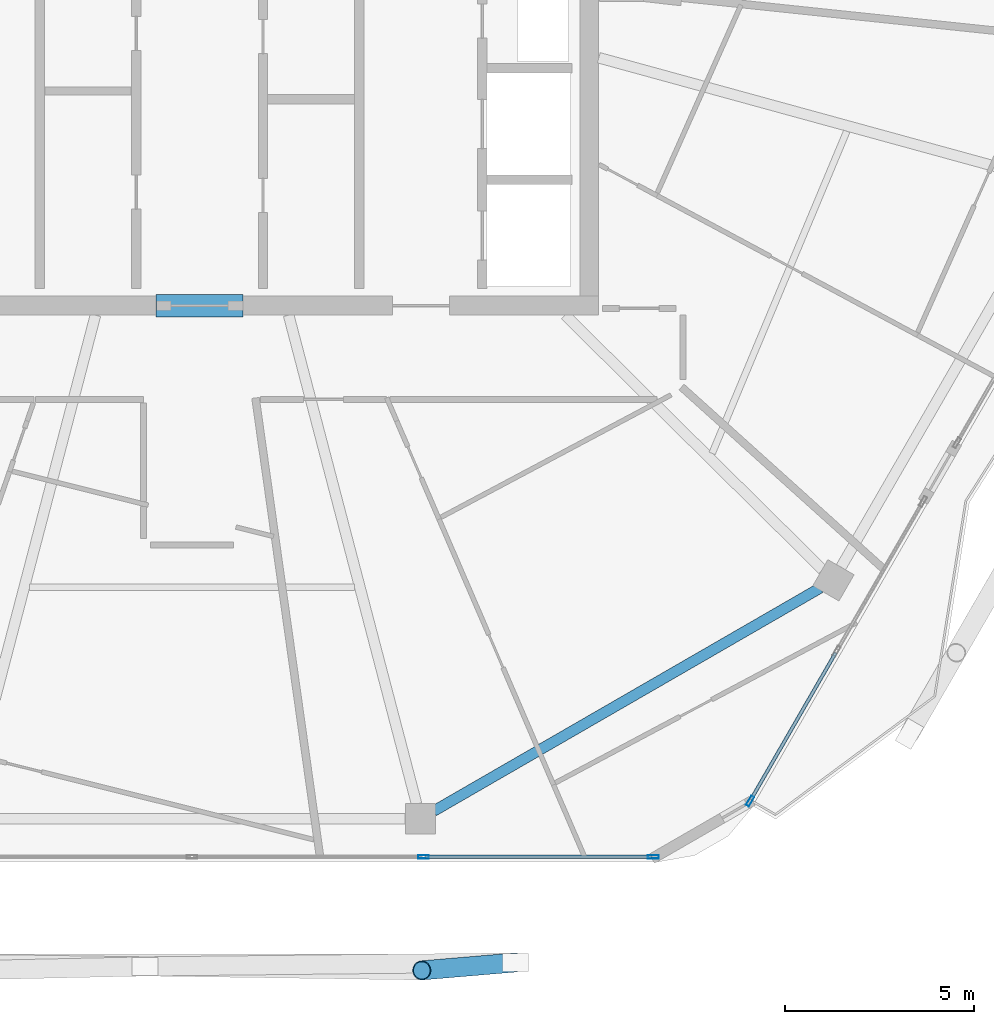
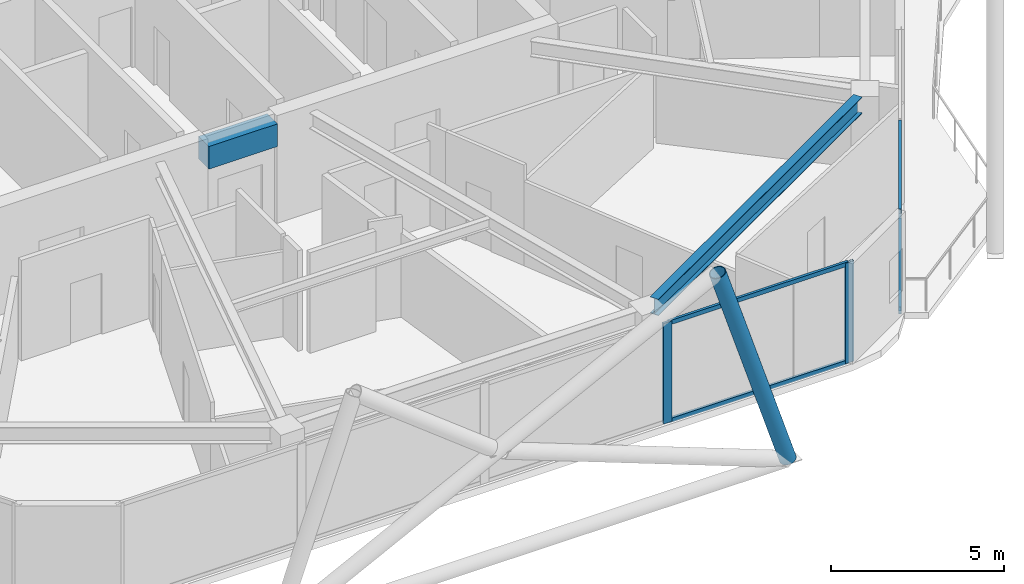
# One storey, part 6 of 23: 8 members, 2 beams, 2 elements without a shape of their own.
"""IFC4 building model written with IfcOpenShell, lengths in metres."""

from ifc_helpers import new_model, si_unit, direction, frame, origin, origin_2d, place, context, subcontext, project, spatial, rectangle, hollow_rectangle, hollow_circle, i_section, extrude, material, material_profile, profile_set, type_object, element, aggregate, save


model = new_model("IFC4")

# Units and contexts
model_context = context("Model", 3, precision=1e-05, world=origin(), true_north=direction((0.0, 1.0)))
body_context = subcontext(model_context, "Body", "Model", "MODEL_VIEW")
ifc_project = project(units=[si_unit("LENGTHUNIT", "METRE"), si_unit("AREAUNIT", "SQUARE_METRE"), si_unit("VOLUMEUNIT", "CUBIC_METRE"), si_unit("PLANEANGLEUNIT", "RADIAN"), si_unit("MASSUNIT", "GRAM", prefix="KILO")], contexts=[model_context])

# Site, building, storey
site_placement = place(None, origin())
site = spatial("IfcSite", under=ifc_project, at=site_placement, CompositionType="ELEMENT")
building_placement = place(site_placement, origin())
building = spatial("IfcBuilding", under=site, at=building_placement, Name="Zuhravey Tower", CompositionType="ELEMENT")
storey_placement = place(building_placement, frame((0.0, 0.0, 315.800048828125)))
storey = spatial("IfcBuildingStorey", under=building, at=storey_placement, Name="L80", CompositionType="ELEMENT", Elevation=315.800048828125)

# Beam
ifc_material_1 = material(Name="Concrete C50/60", Category="concrete")
ifc_material_profile_1 = material_profile(ifc_material_1, rectangle(XDim=0.60009765625, YDim=0.800048828125, at=origin_2d()), Name="RC-600x800")
ifc_profile_set_1 = profile_set([ifc_material_profile_1], Name="Concrete C50/60")
beam_type_1 = type_object("IfcBeamType", Name="Core Coupling Beam RC600x800", PredefinedType="LINTEL", material=ifc_profile_set_1)
beam_1_placement = place(storey_placement, frame((35.052001953125, 22.5, 3.14990234375), z_axis=(1.0, 0.0, 0.0), x_axis=(0.0, 1.0, 0.0)))
element("IfcBeam", 1, at=beam_1_placement, inside=storey, type_object=beam_type_1, Name="L80 CB2 BM-L80-CB-S", PredefinedType="LINTEL", context=body_context, shape_type="SweptSolid", body=[
    extrude(rectangle(XDim=0.60009765625, YDim=0.800048828125, at=origin_2d()), origin(), (0.0, 0.0, 1.0), 2.2958984375),
])

# Curtain wall, member
ifc_material_2 = material(Name="Thermally broken anodised aluminium", Category="aluminium")
curtain_wall_type = type_object("IfcCurtainWallType", Name="Zone 3-4 High-Rise Curtain Wall CW4", PredefinedType="NOTDEFINED", material=ifc_material_2)
curtain_wall_1_placement = place(storey_placement, origin())
curtain_wall_1 = element("IfcCurtainWall", 2, at=curtain_wall_1_placement, inside=storey, type_object=curtain_wall_type, Name="L80 CW4 CW-L80-F6-2", PredefinedType="NOTDEFINED")
ifc_material_3 = material(Name="Anodised aluminium", Category="aluminium")
ifc_material_profile_2 = material_profile(ifc_material_3, hollow_rectangle(XDim=0.090087890625, YDim=0.284912109375, WallThickness=0.0048828125, at=origin_2d()), Name="ALU-RHS-90x285x5")
ifc_profile_set_2 = profile_set([ifc_material_profile_2], Name="Anodised aluminium")
member_type_1 = type_object("IfcMemberType", Name="Curtain-Wall Mullion 90x180", PredefinedType="MULLION", material=ifc_profile_set_2)
member_1_placement = place(storey_placement, frame((50.751708984375, 9.40234375, 0.0), z_axis=(0.0, 0.0, 1.0), x_axis=(0.866024338338, -0.500001845404, 0.0)))
member_1 = element("IfcMember", 3, at=member_1_placement, type_object=member_type_1, Name="CW4 mullion 3", PredefinedType="MULLION", context=body_context, shape_type="SweptSolid", body=[
    extrude(hollow_rectangle(XDim=0.090087890625, YDim=0.284912109375, WallThickness=0.0048828125, at=origin_2d()), origin(), (0.0, 0.0, 1.0), 3.550048828125),
])

# Curtain wall, members
curtain_wall_2_placement = place(storey_placement, origin())
curtain_wall_2 = element("IfcCurtainWall", 4, at=curtain_wall_2_placement, inside=storey, type_object=curtain_wall_type, Name="L80 CW4 CW-L80-F5-1", PredefinedType="NOTDEFINED")
member_2_placement = place(storey_placement, frame((48.1943359375, 7.92578125, 0.0), z_axis=(0.0, 0.0, 1.0), x_axis=(0.0, -1.0, 0.0)))
member_2 = element("IfcMember", 5, at=member_2_placement, type_object=member_type_1, Name="CW4 mullion 1", PredefinedType="MULLION", context=body_context, shape_type="SweptSolid", body=[
    extrude(hollow_rectangle(XDim=0.090087890625, YDim=0.284912109375, WallThickness=0.0048828125, at=origin_2d()), origin(), (0.0, 0.0, 1.0), 3.550048828125),
])
member_3_placement = place(storey_placement, frame((42.11962890625, 7.92578125, 0.0), z_axis=(0.0, 0.0, 1.0), x_axis=(0.0, -1.0, 0.0)))
member_3 = element("IfcMember", 6, at=member_3_placement, type_object=member_type_1, Name="CW4 mullion 2", PredefinedType="MULLION", context=body_context, shape_type="SweptSolid", body=[
    extrude(hollow_rectangle(XDim=0.090087890625, YDim=0.284912109375, WallThickness=0.0048828125, at=origin_2d()), origin(), (0.0, 0.0, 1.0), 3.550048828125),
])

# Member
ifc_material_profile_3 = material_profile(ifc_material_3, hollow_rectangle(XDim=0.090087890625, YDim=0.14990234375, WallThickness=0.0048828125, at=origin_2d()), Name="ALU-RHS-90x150x5")
ifc_profile_set_3 = profile_set([ifc_material_profile_3], Name="Anodised aluminium")
member_type_2 = type_object("IfcMemberType", Name="Curtain-Wall Transom 90x150", PredefinedType="USERDEFINED", material=ifc_profile_set_3)
member_4_placement = place(storey_placement, frame((53.014892578125, 13.322265625, 0.044921875), z_axis=(-0.500017983254, -0.866015020899, 0.0), x_axis=(0.866015020899, -0.500017983254, 0.0)))
member_4 = element("IfcMember", 7, at=member_4_placement, type_object=member_type_2, Name="CW4 transom 2.1", ObjectType="TRANSOM", PredefinedType="USERDEFINED", context=body_context, shape_type="SweptSolid", body=[
    extrude(hollow_rectangle(XDim=0.090087890625, YDim=0.14990234375, WallThickness=0.0048828125, at=origin_2d()), origin(), (0.0, 0.0, 1.0), 4.481201171875),
])

member_5_placement = place(storey_placement, frame((53.014892578125, 13.322265625, 3.5048828125), z_axis=(-0.500017983254, -0.866015020899, 0.0), x_axis=(0.866015020899, -0.500017983254, 0.0)))
member_5 = element("IfcMember", 8, at=member_5_placement, type_object=member_type_2, Name="CW4 transom 2.2", ObjectType="TRANSOM", PredefinedType="USERDEFINED", context=body_context, shape_type="SweptSolid", body=[
    extrude(hollow_rectangle(XDim=0.090087890625, YDim=0.14990234375, WallThickness=0.0048828125, at=origin_2d()), origin(), (0.0, 0.0, 1.0), 4.481201171875),
])

aggregate(curtain_wall_1, [member_1, member_4, member_5])

member_6_placement = place(storey_placement, frame((48.1494140625, 7.92578125, 0.044921875), z_axis=(-1.0, 0.0, 0.0), x_axis=(0.0, -1.0, 0.0)))
member_6 = element("IfcMember", 9, at=member_6_placement, type_object=member_type_2, Name="CW4 transom 1.1", ObjectType="TRANSOM", PredefinedType="USERDEFINED", context=body_context, shape_type="SweptSolid", body=[
    extrude(hollow_rectangle(XDim=0.090087890625, YDim=0.14990234375, WallThickness=0.0048828125, at=origin_2d()), origin(), (0.0, 0.0, 1.0), 5.98486328125),
])

member_7_placement = place(storey_placement, frame((48.1494140625, 7.92578125, 3.5048828125), z_axis=(-1.0, 0.0, 0.0), x_axis=(0.0, -1.0, 0.0)))
member_7 = element("IfcMember", 10, at=member_7_placement, type_object=member_type_2, Name="CW4 transom 1.2", ObjectType="TRANSOM", PredefinedType="USERDEFINED", context=body_context, shape_type="SweptSolid", body=[
    extrude(hollow_rectangle(XDim=0.090087890625, YDim=0.14990234375, WallThickness=0.0048828125, at=origin_2d()), origin(), (0.0, 0.0, 1.0), 5.98486328125),
])

aggregate(curtain_wall_2, [member_2, member_3, member_6, member_7])

ifc_material_4 = material(Name="Steel SM355", Category="steel")
ifc_material_profile_4 = material_profile(ifc_material_4, hollow_circle(Radius=0.25390625, WallThickness=0.02490234375, at=origin_2d()), Name="CHS-508.0x25")
ifc_profile_set_4 = profile_set([ifc_material_profile_4], Name="Steel SM355")
member_type_3 = type_object("IfcMemberType", Name="Exoskeleton Zone 4 Diagrid CHS508x25", PredefinedType="BRACE", material=ifc_profile_set_4)
member_8_placement = place(storey_placement, frame((44.544189453125, 5.135498046875, -0.447998046875), z_axis=(-0.310355699523, -0.026271714193, 0.950257405552), x_axis=(0.084348667533, -0.996436301168, 0.0)))
element("IfcMember", 11, at=member_8_placement, inside=storey, type_object=member_type_3, Name="L80 Face 5 Diagrid Brace 4", PredefinedType="BRACE", context=body_context, shape_type="SweptSolid", body=[
    extrude(hollow_circle(Radius=0.25390625, WallThickness=0.02490234375, at=origin_2d()), origin(), (0.0, 0.0, 1.0), 7.964111328125),
])

# Beam
ifc_material_profile_5 = material_profile(ifc_material_4, i_section(OverallWidth=0.280029296875, OverallDepth=0.580078125, WebThickness=0.011962890625, FlangeThickness=0.01904296875, at=origin_2d()), Name="H-580x280x12x19")
ifc_profile_set_5 = profile_set([ifc_material_profile_5], Name="Steel SM355")
beam_type_2 = type_object("IfcBeamType", Name="Perimeter Ring Beam H580x280", PredefinedType="BEAM", material=ifc_profile_set_5)
beam_2_placement = place(storey_placement, frame((42.3876953125, 9.137451171875, 3.260009765625), z_axis=(0.866023977509, 0.500002470373, 0.0), x_axis=(-0.500002470373, 0.866023977509, 0.0)))
element("IfcBeam", 12, at=beam_2_placement, inside=storey, type_object=beam_type_2, Name="L80 PB4 BM-L80-PB-10", PredefinedType="BEAM", context=body_context, shape_type="SweptSolid", body=[
    extrude(i_section(OverallWidth=0.280029296875, OverallDepth=0.580078125, WebThickness=0.011962890625, FlangeThickness=0.01904296875, at=origin_2d()), origin(), (0.0, 0.0, 1.0), 11.798828125),
])

save(model, "model.ifc")
